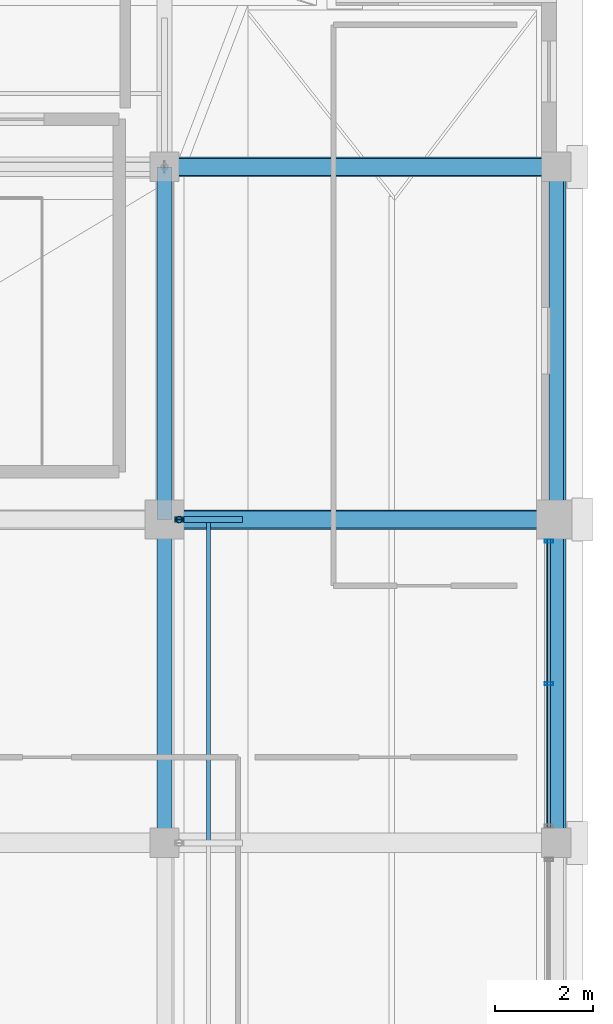
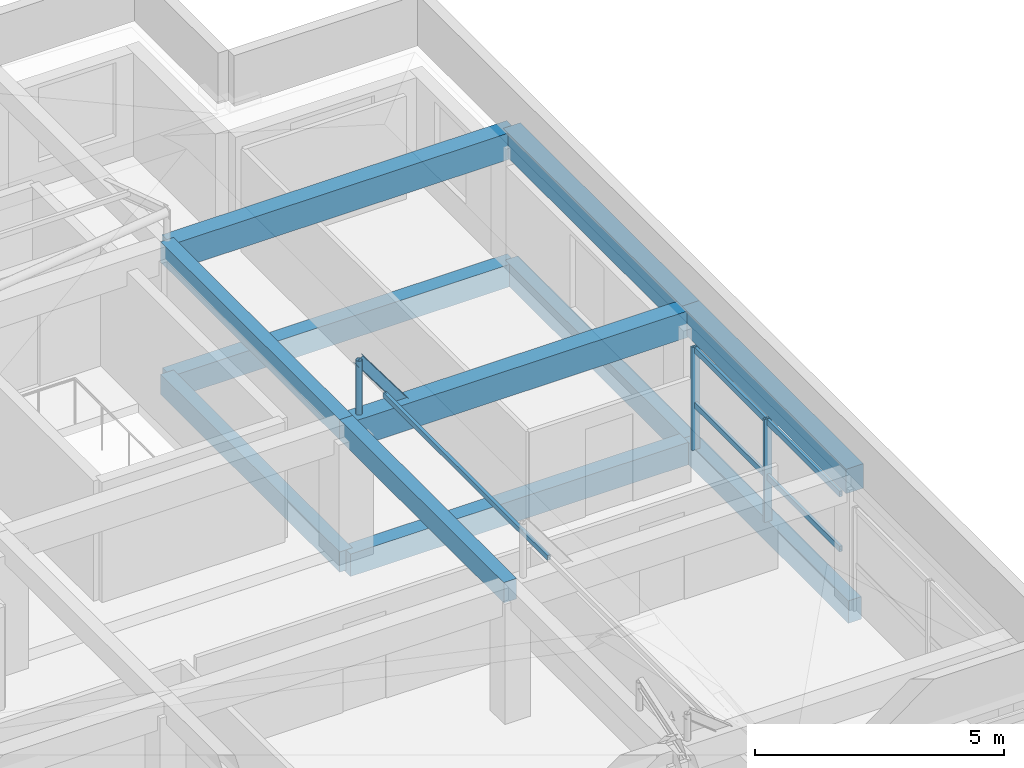
# One storey, part 18 of 39: 11 beams, 7 members, 1 element without a shape of its own.
"""IFC4 building model written with IfcOpenShell, lengths in metres."""

from ifc_helpers import new_model, si_unit, direction, frame, origin, origin_2d, place, context, subcontext, project, spatial, rectangle, hollow_rectangle, hollow_circle, i_section, extrude, material, material_profile, profile_set, type_object, element, aggregate, save


model = new_model("IFC4")

# Units and contexts
model_context = context("Model", 3, precision=1e-05, world=origin(), true_north=direction((0.0, 1.0)))
body_context = subcontext(model_context, "Body", "Model", "MODEL_VIEW")
ifc_project = project(units=[si_unit("LENGTHUNIT", "METRE"), si_unit("AREAUNIT", "SQUARE_METRE"), si_unit("VOLUMEUNIT", "CUBIC_METRE"), si_unit("PLANEANGLEUNIT", "RADIAN"), si_unit("MASSUNIT", "GRAM", prefix="KILO")], contexts=[model_context])

# Site, building, storey
site_placement = place(None, origin())
site = spatial("IfcSite", under=ifc_project, at=site_placement, CompositionType="ELEMENT")
building_placement = place(site_placement, origin())
building = spatial("IfcBuilding", under=site, at=building_placement, Name="Akrevak Sports Hall", CompositionType="ELEMENT")
storey_placement = place(building_placement, frame((0.0, 0.0, 66.550048828125)))
storey = spatial("IfcBuildingStorey", under=building, at=storey_placement, Name="L17", CompositionType="ELEMENT", Elevation=66.550048828125)

# Curtain wall, members
ifc_material_1 = material(Name="Anodized Bronze Aluminium & Low-E Glass", Category="aluminium")
curtain_wall_type = type_object("IfcCurtainWallType", Name="ARC-CW-TWR-68x30", PredefinedType="NOTDEFINED", material=ifc_material_1)
curtain_wall_placement = place(storey_placement, origin())
curtain_wall = element("IfcCurtainWall", 1, at=curtain_wall_placement, inside=storey, type_object=curtain_wall_type, Name="Curtain Wall CW-L17-E12", PredefinedType="NOTDEFINED")
ifc_material_2 = material(Name="Anodized Bronze Aluminium", Category="aluminium")
ifc_material_profile_1 = material_profile(ifc_material_2, hollow_rectangle(XDim=0.06494140625, YDim=0.179931640625, WallThickness=0.00390625, at=origin_2d()), Name="CWM 65x180", Category="aluminium")
ifc_profile_set_1 = profile_set([ifc_material_profile_1], Name="Anodized Bronze Aluminium")
member_type_1 = type_object("IfcMemberType", Name="ARC-CWM-65x140", PredefinedType="MULLION", material=ifc_profile_set_1)
member_1_placement = place(storey_placement, frame((107.85009765625, 51.85009765625, 0.0), z_axis=(0.0, 0.0, 1.0), x_axis=(0.0, 1.0, 0.0)))
member_1 = element("IfcMember", 2, at=member_1_placement, type_object=member_type_1, Name="Curtain Wall Mullion CW-L17-E12-M2", PredefinedType="MULLION", context=body_context, shape_type="SweptSolid", body=[
    extrude(hollow_rectangle(XDim=0.06494140625, YDim=0.179931640625, WallThickness=0.00390625, at=origin_2d()), origin(), (0.0, 0.0, 1.0), 2.530029296875),
])
member_2_placement = place(storey_placement, frame((107.85009765625, 54.760009765625, 0.0), z_axis=(0.0, 0.0, 1.0), x_axis=(0.0, 1.0, 0.0)))
member_2 = element("IfcMember", 3, at=member_2_placement, type_object=member_type_1, Name="Curtain Wall Mullion CW-L17-E12-M3", PredefinedType="MULLION", context=body_context, shape_type="SweptSolid", body=[
    extrude(hollow_rectangle(XDim=0.06494140625, YDim=0.179931640625, WallThickness=0.00390625, at=origin_2d()), origin(), (0.0, 0.0, 1.0), 2.530029296875),
])
ifc_material_profile_2 = material_profile(ifc_material_2, hollow_rectangle(XDim=0.06494140625, YDim=0.139892578125, WallThickness=0.00390625, at=origin_2d()), Name="CWT 65x140", Category="aluminium")
ifc_profile_set_2 = profile_set([ifc_material_profile_2], Name="Anodized Bronze Aluminium")
member_type_2 = type_object("IfcMemberType", Name="ARC-CWT-65x110", PredefinedType="USERDEFINED", material=ifc_profile_set_2)
member_3_placement = place(storey_placement, frame((107.85009765625, 48.89990234375, 1.099853515625), z_axis=(0.0, 1.0, 0.0), x_axis=(-1.0, 0.0, 0.0)))
member_3 = element("IfcMember", 4, at=member_3_placement, type_object=member_type_2, Name="Curtain Wall Transom CW-L17-E12-T1", ObjectType="TRANSOM", PredefinedType="USERDEFINED", context=body_context, shape_type="SweptSolid", body=[
    extrude(hollow_rectangle(XDim=0.06494140625, YDim=0.139892578125, WallThickness=0.00390625, at=origin_2d()), origin(), (0.0, 0.0, 1.0), 5.900146484375),
])
member_4_placement = place(storey_placement, frame((107.85009765625, 48.89990234375, 2.449951171875), z_axis=(0.0, 1.0, 0.0), x_axis=(-1.0, 0.0, 0.0)))
member_4 = element("IfcMember", 5, at=member_4_placement, type_object=member_type_2, Name="Curtain Wall Transom CW-L17-E12-T2", ObjectType="TRANSOM", PredefinedType="USERDEFINED", context=body_context, shape_type="SweptSolid", body=[
    extrude(hollow_rectangle(XDim=0.06494140625, YDim=0.139892578125, WallThickness=0.00390625, at=origin_2d()), origin(), (0.0, 0.0, 1.0), 5.900146484375),
])
aggregate(curtain_wall, [member_1, member_2, member_3, member_4])

# Beams
ifc_material_3 = material(Name="Concrete C40/50", Category="concrete")
ifc_material_profile_3 = material_profile(ifc_material_3, rectangle(XDim=0.300048828125, YDim=0.5, at=origin_2d()), Name="BM 300x500", Category="concrete")
ifc_profile_set_3 = profile_set([ifc_material_profile_3], Name="Concrete C40/50")
beam_type_1 = type_object("IfcBeamType", Name="STR-BM-RC300x500", PredefinedType="BEAM", material=ifc_profile_set_3)
beam_1_placement = place(storey_placement, frame((100.0, 55.199951171875, -0.25), z_axis=(0.0, 1.0, 0.0), x_axis=(-1.0, 0.0, 0.0)))
element("IfcBeam", 6, at=beam_1_placement, inside=storey, type_object=beam_type_1, Name="Girder 14/I-J (L17)", PredefinedType="BEAM", context=body_context, shape_type="SweptSolid", body=[
    extrude(rectangle(XDim=0.300048828125, YDim=0.5, at=origin_2d()), origin(), (0.0, 0.0, 1.0), 7.199951171875),
])
beam_2_placement = place(storey_placement, frame((100.0, 48.60009765625, 3.0), z_axis=(0.0, 1.0, 0.0), x_axis=(-1.0, 0.0, 0.0)))
element("IfcBeam", 7, at=beam_2_placement, inside=storey, type_object=beam_type_1, Name="Girder 14/H-I (ROOF)", PredefinedType="BEAM", context=body_context, shape_type="SweptSolid", body=[
    extrude(rectangle(XDim=0.300048828125, YDim=0.5, at=origin_2d()), origin(), (0.0, 0.0, 1.0), 6.599853515625),
])
beam_3_placement = place(storey_placement, frame((100.0, 55.199951171875, 3.0), z_axis=(0.0, 1.0, 0.0), x_axis=(-1.0, 0.0, 0.0)))
element("IfcBeam", 8, at=beam_3_placement, inside=storey, type_object=beam_type_1, Name="Girder 14/I-J (ROOF)", PredefinedType="BEAM", context=body_context, shape_type="SweptSolid", body=[
    extrude(rectangle(XDim=0.300048828125, YDim=0.5, at=origin_2d()), origin(), (0.0, 0.0, 1.0), 7.199951171875),
])
ifc_material_profile_4 = material_profile(ifc_material_3, rectangle(XDim=0.300048828125, YDim=0.550048828125, at=origin_2d()), Name="BM 300x550", Category="concrete")
ifc_profile_set_4 = profile_set([ifc_material_profile_4], Name="Concrete C40/50")
beam_type_2 = type_object("IfcBeamType", Name="STR-BM-RC300x550", PredefinedType="BEAM", material=ifc_profile_set_4)
beam_4_placement = place(storey_placement, frame((108.0, 48.60009765625, -0.275146484375), z_axis=(0.0, 1.0, 0.0), x_axis=(-1.0, 0.0, 0.0)))
element("IfcBeam", 9, at=beam_4_placement, inside=storey, type_object=beam_type_2, Name="Girder 15/H-I (L17)", PredefinedType="BEAM", context=body_context, shape_type="SweptSolid", body=[
    extrude(rectangle(XDim=0.300048828125, YDim=0.550048828125, at=origin_2d()), origin(), (0.0, 0.0, 1.0), 6.599853515625),
])
beam_5_placement = place(storey_placement, frame((108.0, 55.199951171875, -0.275146484375), z_axis=(0.0, 1.0, 0.0), x_axis=(-1.0, 0.0, 0.0)))
element("IfcBeam", 10, at=beam_5_placement, inside=storey, type_object=beam_type_2, Name="Girder 15/I-J (L17)", PredefinedType="BEAM", context=body_context, shape_type="SweptSolid", body=[
    extrude(rectangle(XDim=0.300048828125, YDim=0.550048828125, at=origin_2d()), origin(), (0.0, 0.0, 1.0), 7.199951171875),
])
ifc_material_profile_5 = material_profile(ifc_material_3, rectangle(XDim=0.35009765625, YDim=0.550048828125, at=origin_2d()), Name="BM 350x550", Category="concrete")
ifc_profile_set_5 = profile_set([ifc_material_profile_5], Name="Concrete C40/50")
beam_type_3 = type_object("IfcBeamType", Name="STR-BM-RC350x550", PredefinedType="BEAM", material=ifc_profile_set_5)
for number, where, z_axis, x_axis, name in (
    (11, (100.0, 55.199951171875, -0.275146484375), (1.0, 0.0, 0.0), (0.0, 1.0, 0.0), "Girder I/14-15 (L17)"),
    (12, (100.0, 62.39990234375, -0.275146484375), (1.0, 0.0, 0.0), (0.0, 1.0, 0.0), "Girder J/14-15 (L17)"),
):
    element("IfcBeam", number, at=place(storey_placement, frame(where, z_axis=z_axis, x_axis=x_axis)), inside=storey, type_object=beam_type_3, Name=name, PredefinedType="BEAM", context=body_context, shape_type="SweptSolid", body=[
        extrude(rectangle(XDim=0.35009765625, YDim=0.550048828125, at=origin_2d()), origin(), (0.0, 0.0, 1.0), 8.0),
    ])
ifc_material_profile_6 = material_profile(ifc_material_3, rectangle(XDim=0.39990234375, YDim=0.60009765625, at=origin_2d()), Name="BM 400x600", Category="concrete")
ifc_profile_set_6 = profile_set([ifc_material_profile_6], Name="Concrete C40/50")
beam_type_4 = type_object("IfcBeamType", Name="STR-BM-RC400x600", PredefinedType="BEAM", material=ifc_profile_set_6)
beam_6_placement = place(storey_placement, frame((108.0, 48.60009765625, 2.949951171875), z_axis=(0.0, 1.0, 0.0), x_axis=(-1.0, 0.0, 0.0)))
element("IfcBeam", 13, at=beam_6_placement, inside=storey, type_object=beam_type_4, Name="Girder 15/H-I (ROOF)", PredefinedType="BEAM", context=body_context, shape_type="SweptSolid", body=[
    extrude(rectangle(XDim=0.39990234375, YDim=0.60009765625, at=origin_2d()), origin(), (0.0, 0.0, 1.0), 6.599853515625),
])
beam_7_placement = place(storey_placement, frame((108.0, 55.199951171875, 2.949951171875), z_axis=(0.0, 1.0, 0.0), x_axis=(-1.0, 0.0, 0.0)))
element("IfcBeam", 14, at=beam_7_placement, inside=storey, type_object=beam_type_4, Name="Girder 15/I-J (ROOF)", PredefinedType="BEAM", context=body_context, shape_type="SweptSolid", body=[
    extrude(rectangle(XDim=0.39990234375, YDim=0.60009765625, at=origin_2d()), origin(), (0.0, 0.0, 1.0), 7.199951171875),
])
ifc_material_profile_7 = material_profile(ifc_material_3, rectangle(XDim=0.39990234375, YDim=0.64990234375, at=origin_2d()), Name="BM 400x650", Category="concrete")
ifc_profile_set_7 = profile_set([ifc_material_profile_7], Name="Concrete C40/50")
beam_type_5 = type_object("IfcBeamType", Name="STR-BM-RC400x650", PredefinedType="BEAM", material=ifc_profile_set_7)
for number, where, z_axis, x_axis, name in (
    (15, (100.0, 55.199951171875, 2.925048828125), (1.0, 0.0, 0.0), (0.0, 1.0, 0.0), "Girder I/14-15 (ROOF)"),
    (16, (100.0, 62.39990234375, 2.925048828125), (1.0, 0.0, 0.0), (0.0, 1.0, 0.0), "Girder J/14-15 (ROOF)"),
):
    element("IfcBeam", number, at=place(storey_placement, frame(where, z_axis=z_axis, x_axis=x_axis)), inside=storey, type_object=beam_type_5, Name=name, PredefinedType="BEAM", context=body_context, shape_type="SweptSolid", body=[
        extrude(rectangle(XDim=0.39990234375, YDim=0.64990234375, at=origin_2d()), origin(), (0.0, 0.0, 1.0), 8.0),
    ])

# Members
ifc_material_4 = material(Name="Steel S355", Category="steel")
ifc_material_profile_8 = material_profile(ifc_material_4, hollow_circle(Radius=0.06982421875, WallThickness=0.008056640625, at=origin_2d()), Name="CHS 139.7x8", Category="steel")
ifc_profile_set_8 = profile_set([ifc_material_profile_8], Name="Steel S355")
member_type_3 = type_object("IfcMemberType", Name="STR-MEM-BRACE-CHS139", PredefinedType="BRACE", material=ifc_profile_set_8)
member_5_placement = place(storey_placement, frame((100.300048828125, 55.199951171875, 2.949951171875), z_axis=(0.0, 0.0, 1.0), x_axis=(1.0, 0.0, 0.0)))
element("IfcMember", 17, at=member_5_placement, inside=storey, type_object=member_type_3, Name="Mansard Knee Post MANS-E-E-55", PredefinedType="BRACE", context=body_context, shape_type="SweptSolid", body=[
    extrude(hollow_circle(Radius=0.06982421875, WallThickness=0.008056640625, at=origin_2d()), origin(), (0.0, 0.0, 1.0), 1.6201171875),
])
ifc_material_profile_9 = material_profile(ifc_material_4, hollow_rectangle(XDim=0.080078125, YDim=0.1201171875, WallThickness=0.00634765625, at=origin_2d()), Name="RHS 120x80x6.3", Category="steel")
ifc_profile_set_9 = profile_set([ifc_material_profile_9], Name="Steel S355")
member_type_4 = type_object("IfcMemberType", Name="STR-MEM-PUR-RHS120", PredefinedType="PURLIN", material=ifc_profile_set_9)
member_6_placement = place(storey_placement, frame((100.89990234375, 48.60009765625, 3.5), z_axis=(0.0, 1.0, 0.0), x_axis=(-1.0, 0.0, 0.0)))
element("IfcMember", 18, at=member_6_placement, inside=storey, type_object=member_type_4, Name="Mansard Steel Purlin MANS-E-E-B", PredefinedType="PURLIN", context=body_context, shape_type="SweptSolid", body=[
    extrude(hollow_rectangle(XDim=0.080078125, YDim=0.1201171875, WallThickness=0.00634765625, at=origin_2d()), origin(), (0.0, 0.0, 1.0), 6.599853515625),
])
ifc_material_profile_10 = material_profile(ifc_material_4, i_section(OverallWidth=0.1201171875, OverallDepth=0.239990234375, WebThickness=0.006103515625, FlangeThickness=0.009765625, FilletRadius=0.014892578125, at=origin_2d()), Name="IPE 240", Category="steel")
ifc_profile_set_10 = profile_set([ifc_material_profile_10], Name="Steel S355")
member_type_5 = type_object("IfcMemberType", Name="STR-MEM-RAF-IPE240", PredefinedType="RAFTER", material=ifc_profile_set_10)
member_7_placement = place(storey_placement, frame((101.5, 55.199951171875, 2.949951171875), z_axis=(-0.595184109849, 0.0, 0.803589369879), x_axis=(0.0, -1.0, 0.0)))
element("IfcMember", 19, at=member_7_placement, inside=storey, type_object=member_type_5, Name="Mansard Steel Rafter MANS-E-E-55", PredefinedType="RAFTER", context=body_context, shape_type="SweptSolid", body=[
    extrude(i_section(OverallWidth=0.1201171875, OverallDepth=0.239990234375, WebThickness=0.006103515625, FlangeThickness=0.009765625, FilletRadius=0.014892578125, at=origin_2d()), origin(), (0.0, 0.0, 1.0), 2.01611328125),
])

save(model, "model.ifc")
